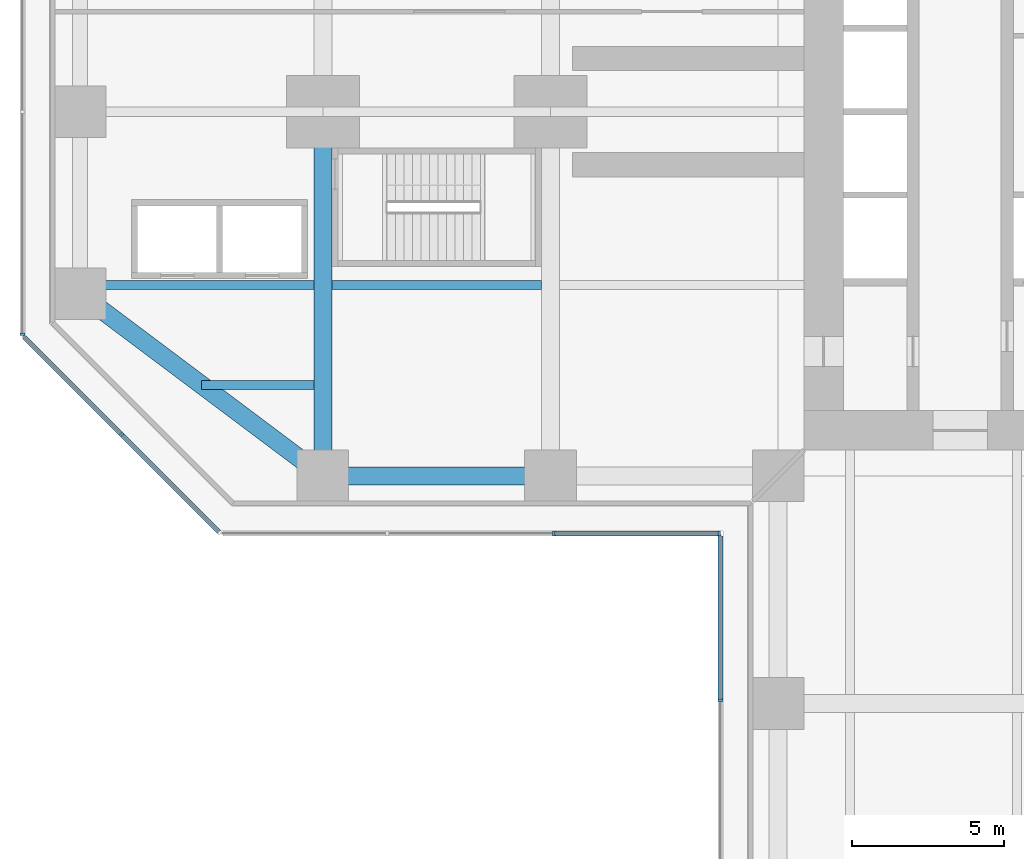
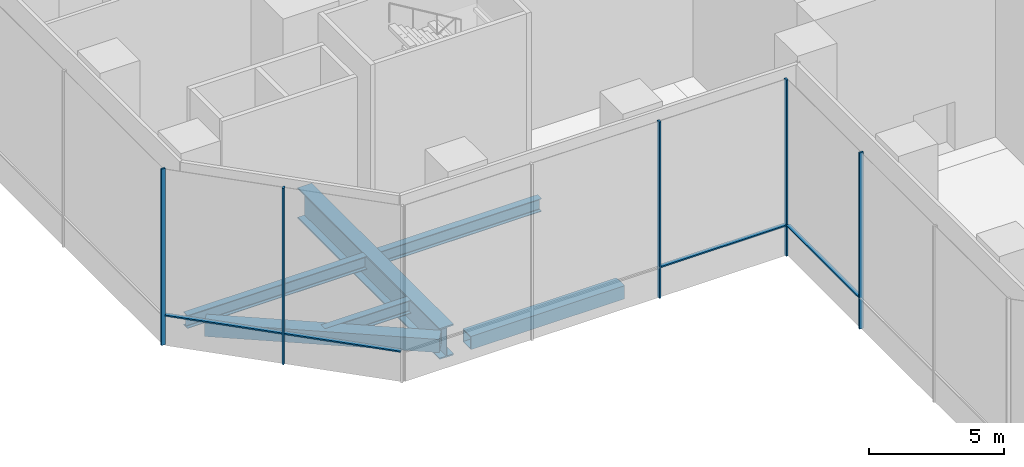
# One storey, part 3 of 25: 9 members, 6 beams, 4 elements without a shape of their own.
"""IFC4 building model written with IfcOpenShell, lengths in metres."""

import ifcopenshell
import ifcopenshell.guid

model = None  # the IFC model being written
_history = None  # IfcOwnerHistory: only IFC2X3 demands one
_inside = {}  # id of a spatial element -> (the spatial element, [elements in it])
_under = {}  # id of a project, library or spatial element -> (it, [spatial elements below it])
_declared = {}  # id of a project -> (the project, [libraries it declares])
_typed = {}  # id of a type object -> (the type object, [elements of that type])
_made_of = {}  # id of a material, layer set ... -> (it, [elements and type objects made of it])


def new_model(schema):
    """Start an empty IFC model of exactly this schema.

    Asked for "IFC4X3", IfcOpenShell would pick the latest addendum, in which some entities
    have other attributes; the version numbers below select the first issue.
    IFC2X3 requires an IfcOwnerHistory on every rooted entity: one is made here for all.
    """
    global model, _history
    if schema == "IFC4X3":
        model = ifcopenshell.file(schema_version=(4, 3, 0, 0))
    else:
        model = ifcopenshell.file(schema=schema)
    _inside.clear()
    _under.clear()
    _declared.clear()
    _typed.clear()
    _made_of.clear()
    _history = None
    if model.schema == "IFC2X3":
        org = make("IfcOrganization", Name="unknown")
        user = make(
            "IfcPersonAndOrganization",
            ThePerson=make("IfcPerson", FamilyName="unknown"),
            TheOrganization=org,
        )
        app = make(
            "IfcApplication",
            ApplicationDeveloper=org,
            Version="unknown",
            ApplicationFullName="unknown",
            ApplicationIdentifier="unknown",
        )
        _history = make(
            "IfcOwnerHistory",
            OwningUser=user,
            OwningApplication=app,
            ChangeAction="ADDED",
            CreationDate=0,
        )
    return model


def make(cls, **values):
    """One entity of the class cls with the attributes given. An attribute that is None is left unset."""
    return model.create_entity(
        cls, **{name: value for name, value in values.items() if value is not None}
    )


def rooted(cls, **values):
    """An entity with a GlobalId (a new one), such as an element, a storey or a relation."""
    return make(cls, GlobalId=ifcopenshell.guid.new(), OwnerHistory=_history, **values)


def si_unit(unit_type, name, prefix=None):
    """IfcSIUnit, for example si_unit("LENGTHUNIT", "METRE", prefix="MILLI")."""
    return make("IfcSIUnit", UnitType=unit_type, Prefix=prefix, Name=name)


def assignment(units):
    """IfcUnitAssignment: the units of a project."""
    return None if units is None else make("IfcUnitAssignment", Units=units)


def point(xyz):
    """IfcCartesianPoint."""
    return None if xyz is None else make("IfcCartesianPoint", Coordinates=xyz)


def direction(xyz):
    """IfcDirection."""
    return None if xyz is None else make("IfcDirection", DirectionRatios=xyz)


def frame(location, z_axis=None, x_axis=None):
    """IfcAxis2Placement3D, a coordinate frame: its origin and axes. An axis left out is left unset."""
    return make(
        "IfcAxis2Placement3D",
        Location=point(location),
        Axis=direction(z_axis),
        RefDirection=direction(x_axis),
    )


def frame_2d(location, x_axis=None):
    """IfcAxis2Placement2D, a coordinate frame in the plane: its origin and x axis."""
    return make(
        "IfcAxis2Placement2D", Location=point(location), RefDirection=direction(x_axis)
    )


def origin():
    """The frame at (0, 0, 0) with its axes left unset."""
    return frame((0.0, 0.0, 0.0))


def origin_2d():
    """The frame at (0, 0) in the plane with its x axis left unset."""
    return frame_2d((0.0, 0.0))


def place(relative_to, where):
    """IfcLocalPlacement: puts the frame where relative to a parent placement (None: the world)."""
    return make(
        "IfcLocalPlacement", PlacementRelTo=relative_to, RelativePlacement=where
    )


def context(
    kind, dimensions, precision=None, world=None, true_north=None, identifier=None
):
    """IfcGeometricRepresentationContext, for example the 3D "Model" context."""
    return make(
        "IfcGeometricRepresentationContext",
        ContextIdentifier=identifier,
        ContextType=kind,
        CoordinateSpaceDimension=dimensions,
        Precision=precision,
        WorldCoordinateSystem=world,
        TrueNorth=true_north,
    )


def subcontext(parent, identifier, kind, view, scale=None):
    """IfcGeometricRepresentationSubContext, for example "Body" below "Model"."""
    return make(
        "IfcGeometricRepresentationSubContext",
        ContextIdentifier=identifier,
        ContextType=kind,
        ParentContext=parent,
        TargetScale=scale,
        TargetView=view,
    )


def project(units=None, contexts=None):
    """IfcProject with its units and contexts."""
    return rooted(
        "IfcProject",
        Name="project",
        RepresentationContexts=contexts,
        UnitsInContext=assignment(units),
    )


def spatial(cls, under=None, at=None, **own):
    """A site, building, storey or space (cls), placed at a placement, below another one or the project."""
    s = rooted(cls, ObjectPlacement=at, **own)
    if under is not None:
        _under.setdefault(under.id(), (under, []))[1].append(s)
    return s


def profile(cls, at=None, kind="AREA", **sizes):
    """A parametric profile (cls). Its sizes go by their IFC names, for example OverallWidth=200.0."""
    return make(cls, ProfileType=kind, Position=at, **sizes)


def rectangle(**sizes):
    """IfcRectangleProfileDef."""
    return profile("IfcRectangleProfileDef", **sizes)


def hollow_rectangle(**sizes):
    """IfcRectangleHollowProfileDef."""
    return profile("IfcRectangleHollowProfileDef", **sizes)


def i_section(**sizes):
    """IfcIShapeProfileDef."""
    return profile("IfcIShapeProfileDef", **sizes)


def extrude(swept, where, along, depth):
    """IfcExtrudedAreaSolid: the profile swept, set in the frame where, extruded along a direction by depth."""
    return make(
        "IfcExtrudedAreaSolid",
        SweptArea=swept,
        Position=where,
        ExtrudedDirection=direction(along),
        Depth=depth,
    )


def shape(context_of_items, identifier, shape_type, items):
    """IfcShapeRepresentation: the items that make up one representation, for example the "Body"."""
    return make(
        "IfcShapeRepresentation",
        ContextOfItems=context_of_items,
        RepresentationIdentifier=identifier,
        RepresentationType=shape_type,
        Items=items,
    )


def material(Name=None, Category=None):
    """IfcMaterial."""
    return make("IfcMaterial", Name=Name, Category=Category)


def material_profile(
    of_material, cross_section, Name=None, Category=None, Priority=None
):
    """IfcMaterialProfile: a cross section and its material."""
    return make(
        "IfcMaterialProfile",
        Name=Name,
        Material=of_material,
        Profile=cross_section,
        Priority=Priority,
        Category=Category,
    )


def profile_set(profiles, Name=None, composite=None):
    """IfcMaterialProfileSet."""
    return make(
        "IfcMaterialProfileSet",
        Name=Name,
        MaterialProfiles=profiles,
        CompositeProfile=composite,
    )


def made_of(thing, what):
    """Note that an element or type object is made of a material, layer set ...; save() writes the relation."""
    if what is not None:
        _made_of.setdefault(what.id(), (what, []))[1].append(thing)
    return thing


def type_object(cls, material=None, **own):
    """A type object (cls), such as IfcWallType, which elements share."""
    return made_of(rooted(cls, **own), material)


def element(
    cls,
    number,
    at=None,
    inside=None,
    cuts=None,
    type_object=None,
    material=None,
    context=None,
    identifier="Body",
    shape_type=None,
    held_by="IfcProductDefinitionShape",
    body=None,
    shapes=None,
    **own,
):
    """One element of the class cls, such as IfcWall. Its Tag is "e" and its number.

    at: its placement. inside: the storey or other place that contains it. cuts: it is an
    opening in that element (IfcRelVoidsElement). A single representation is given by context,
    identifier, shape_type and body (its items); several are given by shapes. held_by: the class
    of the entity that holds the representations. save() writes the other relations.
    """
    e = rooted(cls, Tag="e%d" % number, ObjectPlacement=at, **own)
    if body is not None:
        shapes = [shape(context, identifier, shape_type, body)]
    if shapes is not None:
        e.Representation = make(held_by, Representations=shapes)
    if inside is not None:
        _inside.setdefault(inside.id(), (inside, []))[1].append(e)
    if cuts is not None:
        rooted(
            "IfcRelVoidsElement", RelatingBuildingElement=cuts, RelatedOpeningElement=e
        )
    if type_object is not None:
        _typed.setdefault(type_object.id(), (type_object, []))[1].append(e)
    return made_of(e, material)


def aggregate(whole, parts):
    """IfcRelAggregates: a whole, such as a stair, and the parts it consists of."""
    return rooted("IfcRelAggregates", RelatingObject=whole, RelatedObjects=parts)


def save(model, path):
    """Write the relations noted so far, then the file.

    IfcRelAggregates (storeys below a building ...), IfcRelContainedInSpatialStructure (elements
    in a storey), IfcRelDefinesByType, IfcRelAssociatesMaterial and IfcRelDeclares: one each for
    every whole, place, type object, material and project.
    """
    for whole, parts in _under.values():
        aggregate(whole, parts)
    for where, things in _inside.values():
        rooted(
            "IfcRelContainedInSpatialStructure",
            RelatedElements=things,
            RelatingStructure=where,
        )
    for kind, things in _typed.values():
        rooted("IfcRelDefinesByType", RelatedObjects=things, RelatingType=kind)
    for what, things in _made_of.values():
        rooted("IfcRelAssociatesMaterial", RelatedObjects=things, RelatingMaterial=what)
    for by, libraries in _declared.values():
        rooted("IfcRelDeclares", RelatingContext=by, RelatedDefinitions=libraries)
    model.write(path)


model = new_model("IFC4")

# Units and contexts
model_context = context("Model", 3, precision=1e-05, world=origin(), true_north=direction((0.0, 1.0)))
body_context = subcontext(model_context, "Body", "Model", "MODEL_VIEW")
ifc_project = project(units=[si_unit("LENGTHUNIT", "METRE"), si_unit("AREAUNIT", "SQUARE_METRE"), si_unit("VOLUMEUNIT", "CUBIC_METRE"), si_unit("PLANEANGLEUNIT", "RADIAN"), si_unit("MASSUNIT", "GRAM", prefix="KILO")], contexts=[model_context])

# Site, building, storey
site_placement = place(None, origin())
site = spatial("IfcSite", under=ifc_project, at=site_placement, CompositionType="ELEMENT")
building_placement = place(site_placement, origin())
building = spatial("IfcBuilding", under=site, at=building_placement, Name="Mizan Broadcast Tower", CompositionType="ELEMENT")
storey_placement = place(building_placement, frame((0.0, 0.0, 7.0)))
storey = spatial("IfcBuildingStorey", under=building, at=storey_placement, Name="L01", CompositionType="ELEMENT", Elevation=7.0)

# Beams
ifc_material_1 = material(Name="Steel S355", Category="steel")
ifc_material_profile_1 = material_profile(ifc_material_1, hollow_rectangle(XDim=0.60009765625, YDim=0.60009765625, WallThickness=0.030029296875, at=origin_2d()), Name="BOX 600x600x30")
ifc_profile_set_1 = profile_set([ifc_material_profile_1], Name="Steel S355")
beam_type_1 = type_object("IfcBeamType", Name="EDGE BEAM BOX 600x600x30", PredefinedType="SPANDREL", material=ifc_profile_set_1)
beam_1_placement = place(storey_placement, frame((-27.47998046875, -11.639892578125, -0.550048828125), z_axis=(-0.800013316712, 0.599982243973, 0.0), x_axis=(-0.599982243973, -0.800013316712, 0.0)))
element("IfcBeam", 1, at=beam_1_placement, inside=storey, type_object=beam_type_1, Name="Edge beam BOX 600x600x30 L01 west arm", PredefinedType="SPANDREL", context=body_context, shape_type="SweptSolid", body=[
    extrude(hollow_rectangle(XDim=0.60009765625, YDim=0.60009765625, WallThickness=0.030029296875, at=origin_2d()), origin(), (0.0, 0.0, 1.0), 8.7998046875),
])
ifc_material_2 = material(Name="Steel S355", Category="steel")
ifc_material_profile_2 = material_profile(ifc_material_2, hollow_rectangle(XDim=0.60009765625, YDim=0.60009765625, WallThickness=0.0400390625, at=origin_2d()), Name="BOX 600x600x40")
ifc_profile_set_2 = profile_set([ifc_material_profile_2], Name="Steel S355")
beam_type_2 = type_object("IfcBeamType", Name="EDGE BEAM BOX 600x600x40", PredefinedType="SPANDREL", material=ifc_profile_set_2)
beam_2_placement = place(storey_placement, frame((-19.949951171875, -12.0, -0.550048828125), z_axis=(-1.0, 0.0, 0.0), x_axis=(0.0, -1.0, 0.0)))
element("IfcBeam", 2, at=beam_2_placement, inside=storey, type_object=beam_type_2, Name="Edge beam BOX 600x600x40 L01 west arm", PredefinedType="SPANDREL", context=body_context, shape_type="SweptSolid", body=[
    extrude(hollow_rectangle(XDim=0.60009765625, YDim=0.60009765625, WallThickness=0.0400390625, at=origin_2d()), origin(), (0.0, 0.0, 1.0), 6.60009765625),
])
ifc_material_3 = material(Name="Steel S460", Category="steel")
ifc_material_profile_3 = material_profile(ifc_material_3, i_section(OverallWidth=0.60009765625, OverallDepth=1.39990234375, WebThickness=0.02490234375, FlangeThickness=0.06005859375, at=origin_2d()), Name="WPG 1400x600")
ifc_profile_set_3 = profile_set([ifc_material_profile_3], Name="Steel S460")
beam_type_3 = type_object("IfcBeamType", Name="GIRDER WPG 1400x600", PredefinedType="BEAM", material=ifc_profile_set_3)
beam_3_placement = place(storey_placement, frame((-27.0, -0.719970703125, -0.949951171875), z_axis=(0.0, -1.0, 0.0), x_axis=(1.0, 0.0, 0.0)))
element("IfcBeam", 3, at=beam_3_placement, inside=storey, type_object=beam_type_3, Name="Girder WPG 1400x600 L01 west arm", PredefinedType="BEAM", context=body_context, shape_type="SweptSolid", body=[
    extrude(i_section(OverallWidth=0.60009765625, OverallDepth=1.39990234375, WebThickness=0.02490234375, FlangeThickness=0.06005859375, at=origin_2d()), origin(), (0.0, 0.0, 1.0), 10.56005859375),
])

# Curtain wall, member
ifc_material_4 = material(Name="Aluminium framed glazing", Category="aluminium")
curtain_wall_type = type_object("IfcCurtainWallType", Name="OUTER SKIN", PredefinedType="USERDEFINED", material=ifc_material_4)
curtain_wall_1_placement = place(storey_placement, origin())
curtain_wall_1 = element("IfcCurtainWall", 4, at=curtain_wall_1_placement, inside=storey, type_object=curtain_wall_type, Name="Outer skin L01 W end", ObjectType="OUTER SKIN", PredefinedType="USERDEFINED")
ifc_material_5 = material(Name="Aluminium, pale anodised", Category="aluminium")
ifc_material_profile_4 = material_profile(ifc_material_5, rectangle(XDim=0.159912109375, YDim=0.080078125, at=origin_2d()), Name="MULLION 160x80")
ifc_profile_set_4 = profile_set([ifc_material_profile_4], Name="Aluminium, pale anodised")
member_type_1 = type_object("IfcMemberType", Name="OUTER SKIN MULLION 80x160", PredefinedType="MULLION", material=ifc_profile_set_4)
member_1_placement = place(storey_placement, frame((-36.89990234375, -7.332763671875, 0.0), z_axis=(0.0, 0.0, 1.0), x_axis=(1.0, 0.0, 0.0)))
member_1 = element("IfcMember", 5, at=member_1_placement, type_object=member_type_1, Name="Outer skin L01 W end mullion 3", PredefinedType="MULLION", context=body_context, shape_type="SweptSolid", body=[
    extrude(rectangle(XDim=0.159912109375, YDim=0.080078125, at=origin_2d()), origin(), (0.0, 0.0, 1.0), 8.0),
])
aggregate(curtain_wall_1, [member_1])

curtain_wall_2_placement = place(storey_placement, origin())
curtain_wall_2 = element("IfcCurtainWall", 6, at=curtain_wall_2_placement, inside=storey, type_object=curtain_wall_type, Name="Outer skin L01 W chamfer", ObjectType="OUTER SKIN", PredefinedType="USERDEFINED")
member_2_placement = place(storey_placement, frame((-33.636474609375, -10.636474609375, 0.0), z_axis=(0.0, 0.0, 1.0), x_axis=(0.707106781187, 0.707106781187, 0.0)))
member_2 = element("IfcMember", 7, at=member_2_placement, type_object=member_type_1, Name="Outer skin L01 W chamfer mullion 2", PredefinedType="MULLION", context=body_context, shape_type="SweptSolid", body=[
    extrude(rectangle(XDim=0.159912109375, YDim=0.080078125, at=origin_2d()), origin(), (0.0, 0.0, 1.0), 8.0),
])

# Curtain wall, members
curtain_wall_3_placement = place(storey_placement, origin())
curtain_wall_3 = element("IfcCurtainWall", 8, at=curtain_wall_3_placement, inside=storey, type_object=curtain_wall_type, Name="Outer skin L01 W side", ObjectType="OUTER SKIN", PredefinedType="USERDEFINED")
member_3_placement = place(storey_placement, frame((-19.390869140625, -13.89990234375, 0.0), z_axis=(0.0, 0.0, 1.0), x_axis=(0.0, 1.0, 0.0)))
member_3 = element("IfcMember", 9, at=member_3_placement, type_object=member_type_1, Name="Outer skin L01 W side mullion 3", PredefinedType="MULLION", context=body_context, shape_type="SweptSolid", body=[
    extrude(rectangle(XDim=0.159912109375, YDim=0.080078125, at=origin_2d()), origin(), (0.0, 0.0, 1.0), 8.0),
])
member_4_placement = place(storey_placement, frame((-13.93994140625, -13.89990234375, 0.0), z_axis=(0.0, 0.0, 1.0), x_axis=(0.0, 1.0, 0.0)))
member_4 = element("IfcMember", 10, at=member_4_placement, type_object=member_type_1, Name="Outer skin L01 W side mullion 4", PredefinedType="MULLION", context=body_context, shape_type="SweptSolid", body=[
    extrude(rectangle(XDim=0.159912109375, YDim=0.080078125, at=origin_2d()), origin(), (0.0, 0.0, 1.0), 8.0),
])

# Curtain wall, member
curtain_wall_4_placement = place(storey_placement, origin())
curtain_wall_4 = element("IfcCurtainWall", 11, at=curtain_wall_4_placement, inside=storey, type_object=curtain_wall_type, Name="Outer skin L01 S side", ObjectType="OUTER SKIN", PredefinedType="USERDEFINED")
member_5_placement = place(storey_placement, frame((-13.89990234375, -19.390869140625, 0.0), z_axis=(0.0, 0.0, 1.0), x_axis=(1.0, 0.0, 0.0)))
member_5 = element("IfcMember", 12, at=member_5_placement, type_object=member_type_1, Name="Outer skin L01 S side mullion 2", PredefinedType="MULLION", context=body_context, shape_type="SweptSolid", body=[
    extrude(rectangle(XDim=0.159912109375, YDim=0.080078125, at=origin_2d()), origin(), (0.0, 0.0, 1.0), 8.0),
])

# Member
ifc_material_6 = material(Name="Aluminium, pale anodised", Category="aluminium")
ifc_material_profile_5 = material_profile(ifc_material_6, rectangle(XDim=0.159912109375, YDim=0.06005859375, at=origin_2d()), Name="TRANSOM 160x60")
ifc_profile_set_5 = profile_set([ifc_material_profile_5], Name="Aluminium, pale anodised")
member_type_2 = type_object("IfcMemberType", Name="OUTER SKIN TRANSOM 60x160", PredefinedType="USERDEFINED", material=ifc_profile_set_5)
member_6_placement = place(storey_placement, frame((-36.843505859375, -7.429443359375, 1.39990234375), z_axis=(0.707106781187, -0.707106781187, 0.0), x_axis=(0.707106781187, 0.707106781187, 0.0)))
member_6 = element("IfcMember", 13, at=member_6_placement, type_object=member_type_2, Name="Outer skin L01 W chamfer transom 1.1", ObjectType="TRANSOM", PredefinedType="USERDEFINED", context=body_context, shape_type="SweptSolid", body=[
    extrude(rectangle(XDim=0.159912109375, YDim=0.06005859375, at=origin_2d()), origin(), (0.0, 0.0, 1.0), 4.495361328125),
])

member_7_placement = place(storey_placement, frame((-33.608154296875, -10.664794921875, 1.39990234375), z_axis=(0.707106781187, -0.707106781187, 0.0), x_axis=(0.707106781187, 0.707106781187, 0.0)))
member_7 = element("IfcMember", 14, at=member_7_placement, type_object=member_type_2, Name="Outer skin L01 W chamfer transom 2.1", ObjectType="TRANSOM", PredefinedType="USERDEFINED", context=body_context, shape_type="SweptSolid", body=[
    extrude(rectangle(XDim=0.159912109375, YDim=0.06005859375, at=origin_2d()), origin(), (0.0, 0.0, 1.0), 4.495361328125),
])

aggregate(curtain_wall_2, [member_2, member_6, member_7])

member_8_placement = place(storey_placement, frame((-19.350830078125, -13.89990234375, 1.39990234375), z_axis=(1.0, 0.0, 0.0), x_axis=(0.0, 1.0, 0.0)))
member_8 = element("IfcMember", 15, at=member_8_placement, type_object=member_type_2, Name="Outer skin L01 W side transom 3.1", ObjectType="TRANSOM", PredefinedType="USERDEFINED", context=body_context, shape_type="SweptSolid", body=[
    extrude(rectangle(XDim=0.159912109375, YDim=0.06005859375, at=origin_2d()), origin(), (0.0, 0.0, 1.0), 5.370849609375),
])

aggregate(curtain_wall_3, [member_3, member_4, member_8])

member_9_placement = place(storey_placement, frame((-13.89990234375, -13.97998046875, 1.39990234375), z_axis=(0.0, -1.0, 0.0), x_axis=(1.0, 0.0, 0.0)))
member_9 = element("IfcMember", 16, at=member_9_placement, type_object=member_type_2, Name="Outer skin L01 S side transom 1.1", ObjectType="TRANSOM", PredefinedType="USERDEFINED", context=body_context, shape_type="SweptSolid", body=[
    extrude(rectangle(XDim=0.159912109375, YDim=0.06005859375, at=origin_2d()), origin(), (0.0, 0.0, 1.0), 5.370849609375),
])

aggregate(curtain_wall_4, [member_5, member_9])

# Beams
ifc_material_7 = material(Name="Steel S355", Category="steel")
ifc_material_profile_6 = material_profile(ifc_material_7, i_section(OverallWidth=0.300048828125, OverallDepth=0.590087890625, WebThickness=0.012939453125, FlangeThickness=0.02490234375, FilletRadius=0.027099609375, at=origin_2d()), Name="HEA 600")
ifc_profile_set_6 = profile_set([ifc_material_profile_6], Name="Steel S355")
beam_type_4 = type_object("IfcBeamType", Name="SECONDARY BEAM HEA 600", PredefinedType="JOIST", material=ifc_profile_set_6)
beam_4_placement = place(storey_placement, frame((-19.800048828125, -5.71435546875, -0.544921875), z_axis=(-1.0, 0.0, 0.0), x_axis=(0.0, -1.0, 0.0)))
element("IfcBeam", 17, at=beam_4_placement, inside=storey, type_object=beam_type_4, Name="Secondary beam HEA 600 L01 west arm", PredefinedType="JOIST", context=body_context, shape_type="SweptSolid", body=[
    extrude(i_section(OverallWidth=0.300048828125, OverallDepth=0.590087890625, WebThickness=0.012939453125, FlangeThickness=0.02490234375, FilletRadius=0.027099609375, at=origin_2d()), origin(), (0.0, 0.0, 1.0), 6.89990234375),
])
beam_5_placement = place(storey_placement, frame((-27.300048828125, -5.71435546875, -0.544921875), z_axis=(-1.0, 0.0, 0.0), x_axis=(0.0, -1.0, 0.0)))
element("IfcBeam", 18, at=beam_5_placement, inside=storey, type_object=beam_type_4, Name="Secondary beam HEA 600 L01 west arm", PredefinedType="JOIST", context=body_context, shape_type="SweptSolid", body=[
    extrude(i_section(OverallWidth=0.300048828125, OverallDepth=0.590087890625, WebThickness=0.012939453125, FlangeThickness=0.02490234375, FilletRadius=0.027099609375, at=origin_2d()), origin(), (0.0, 0.0, 1.0), 7.699951171875),
])
beam_6_placement = place(storey_placement, frame((-27.300048828125, -9.0, -0.544921875), z_axis=(-1.0, 0.0, 0.0), x_axis=(0.0, -1.0, 0.0)))
element("IfcBeam", 19, at=beam_6_placement, inside=storey, type_object=beam_type_4, Name="Secondary beam HEA 600 L01 west arm", PredefinedType="JOIST", context=body_context, shape_type="SweptSolid", body=[
    extrude(i_section(OverallWidth=0.300048828125, OverallDepth=0.590087890625, WebThickness=0.012939453125, FlangeThickness=0.02490234375, FilletRadius=0.027099609375, at=origin_2d()), origin(), (0.0, 0.0, 1.0), 3.699951171875),
])

save(model, "model.ifc")
